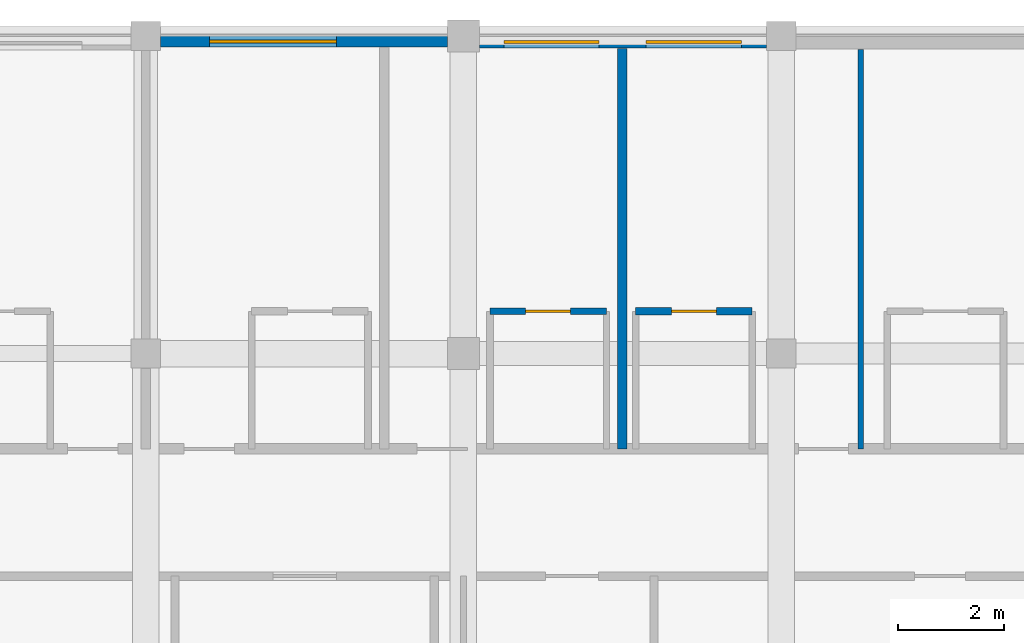
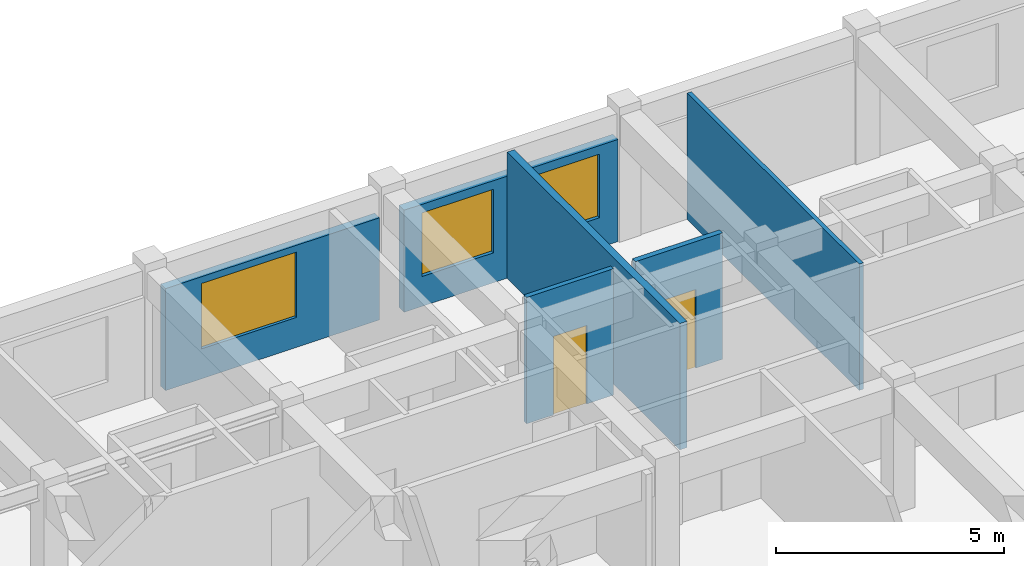
# One storey, part 11 of 25: 6 walls, 3 windows, 2 doors, 5 openings.
"""IFC4 building model written with IfcOpenShell, lengths in metres."""

from ifc_helpers import new_model, si_unit, direction, frame, frame_2d, origin, place, context, subcontext, project, spatial, rectangle, extrude, material, layer, layer_set, type_object, element, fill, save


model = new_model("IFC4")

# Units and contexts
model_context = context("Model", 3, precision=1e-05, world=origin(), true_north=direction((0.0, 1.0)))
body_context = subcontext(model_context, "Body", "Model", "MODEL_VIEW")
ifc_project = project(units=[si_unit("LENGTHUNIT", "METRE"), si_unit("AREAUNIT", "SQUARE_METRE"), si_unit("VOLUMEUNIT", "CUBIC_METRE"), si_unit("PLANEANGLEUNIT", "RADIAN"), si_unit("MASSUNIT", "GRAM", prefix="KILO"), si_unit("THERMODYNAMICTEMPERATUREUNIT", "KELVIN"), si_unit("POWERUNIT", "WATT")], contexts=[model_context])

# Site, building, storey
site_placement = place(None, origin())
site = spatial("IfcSite", under=ifc_project, at=site_placement, CompositionType="ELEMENT")
building_placement = place(site_placement, origin())
building = spatial("IfcBuilding", under=site, at=building_placement, Name="Phaisarnlok Congress Hotel", CompositionType="ELEMENT")
storey_placement = place(building_placement, frame((0.0, 0.0, 24.60009765625)))
storey = spatial("IfcBuildingStorey", under=building, at=storey_placement, Name="L05", CompositionType="ELEMENT", Elevation=24.60009765625)

# Wall, opening, window
ifc_material_1 = material(Name="Concrete C40/50", Category="concrete")
ifc_layer_1 = layer(ifc_material_1, 0.2099609375, Name="Concrete C40/50")
ifc_layer_set_1 = layer_set([ifc_layer_1], Name="Concrete C40/50")
wall_type_1 = type_object("IfcWallType", Name="WL-EXT-210", PredefinedType="SOLIDWALL", material=ifc_layer_set_1)
wall_1_placement = place(storey_placement, frame((119.695068359375, 125.89501953125, 0.0), z_axis=(0.0, 0.0, 1.0), x_axis=(-1.0, 0.0, 0.0)))
wall_1 = element("IfcWall", 1, at=wall_1_placement, inside=storey, type_object=wall_type_1, Name="Exterior wall EW-07 (L05)", PredefinedType="SOLIDWALL", context=body_context, shape_type="SweptSolid", body=[
    extrude(rectangle(XDim=5.4150390625, YDim=0.2099609375, at=frame_2d((2.70751953125, 0.0))), origin(), (0.0, 0.0, 1.0), 2.72998046875),
])
opening_1_placement = place(wall_1_placement, frame((2.094970703125, 0.0, 0.800048828125)))
opening_1 = element("IfcOpeningElement", 2, at=opening_1_placement, cuts=wall_1, Name="Opening W-01", PredefinedType="OPENING", context=body_context, shape_type="SweptSolid", body=[
    extrude(rectangle(XDim=2.39990234375, YDim=1.75, at=frame_2d((1.199951171875, 0.875))), frame((0.0, 0.114990234375, 0.0), z_axis=(0.0, -1.0, 0.0), x_axis=(1.0, 0.0, 0.0)), (0.0, 0.0, 1.0), 0.22998046875),
])
ifc_material_2 = material(Name="Thermally Broken Aluminium & Low-E Double Glazing", Category="aluminium")
window_type_1 = type_object("IfcWindowType", Name="WIN-HOTEL-2400", PartitioningType="SINGLE_PANEL", PredefinedType="WINDOW", material=ifc_material_2)
window_1_placement = place(opening_1_placement, origin())
window_1 = element("IfcWindow", 3, at=window_1_placement, inside=storey, type_object=window_type_1, Name="Guestroom window W-01 (L05)", OverallHeight=1.75, OverallWidth=2.39990234375, PartitioningType="SINGLE_PANEL", PredefinedType="WINDOW", context=body_context, shape_type="SweptSolid", body=[
    extrude(rectangle(XDim=2.39990234375, YDim=1.75, at=frame_2d((1.199951171875, 0.875))), frame((0.0, 0.030029296875, 0.0), z_axis=(0.0, -1.0, 0.0), x_axis=(1.0, 0.0, 0.0)), (0.0, 0.0, 1.0), 0.06005859375),
])
fill(opening_1, window_1)

# Wall, openings, windows
ifc_layer_2 = layer(ifc_material_1, 0.22998046875, Name="Concrete C40/50")
ifc_layer_set_2 = layer_set([ifc_layer_2], Name="Concrete C40/50")
wall_type_2 = type_object("IfcWallType", Name="WL-EXT-230", PredefinedType="SOLIDWALL", material=ifc_layer_set_2)
wall_2_placement = place(storey_placement, frame((125.719970703125, 125.885009765625, 0.0), z_axis=(0.0, 0.0, 1.0), x_axis=(-1.0, 0.0, 0.0)))
wall_2 = element("IfcWall", 4, at=wall_2_placement, inside=storey, type_object=wall_type_2, Name="Exterior wall EW-06 (L05)", PredefinedType="SOLIDWALL", context=body_context, shape_type="SweptSolid", body=[
    extrude(rectangle(XDim=5.4150390625, YDim=0.22998046875, at=frame_2d((2.70751953125, 0.0))), origin(), (0.0, 0.0, 1.0), 2.72998046875),
])
opening_2_placement = place(wall_2_placement, frame((3.157958984375, 0.0, 0.800048828125)))
opening_2 = element("IfcOpeningElement", 5, at=opening_2_placement, cuts=wall_2, Name="Opening W-10", PredefinedType="OPENING", context=body_context, shape_type="SweptSolid", body=[
    extrude(rectangle(XDim=1.800048828125, YDim=1.699951171875, at=frame_2d((0.89990234375, 0.85009765625))), frame((0.0, 0.125, 0.0), z_axis=(0.0, -1.0, 0.0), x_axis=(1.0, 0.0, 0.0)), (0.0, 0.0, 1.0), 0.25),
])
opening_3_placement = place(wall_2_placement, frame((0.469970703125, 0.0, 0.800048828125)))
opening_3 = element("IfcOpeningElement", 6, at=opening_3_placement, cuts=wall_2, Name="Opening W-10", PredefinedType="OPENING", context=body_context, shape_type="SweptSolid", body=[
    extrude(rectangle(XDim=1.800048828125, YDim=1.699951171875, at=frame_2d((0.89990234375, 0.85009765625))), frame((0.0, 0.125, 0.0), z_axis=(0.0, -1.0, 0.0), x_axis=(1.0, 0.0, 0.0)), (0.0, 0.0, 1.0), 0.25),
])
window_type_2 = type_object("IfcWindowType", Name="WIN-POD-1800", PartitioningType="SINGLE_PANEL", PredefinedType="WINDOW", material=ifc_material_2)
window_2_placement = place(opening_2_placement, origin())
window_2 = element("IfcWindow", 7, at=window_2_placement, inside=storey, type_object=window_type_2, Name="Guestroom window W-10 (L05)", OverallHeight=1.699951171875, OverallWidth=1.800048828125, PartitioningType="SINGLE_PANEL", PredefinedType="WINDOW", context=body_context, shape_type="SweptSolid", body=[
    extrude(rectangle(XDim=1.800048828125, YDim=1.699951171875, at=frame_2d((0.89990234375, 0.85009765625))), frame((0.0, 0.030029296875, 0.0), z_axis=(0.0, -1.0, 0.0), x_axis=(1.0, 0.0, 0.0)), (0.0, 0.0, 1.0), 0.06005859375),
])
fill(opening_2, window_2)
window_3_placement = place(opening_3_placement, origin())
window_3 = element("IfcWindow", 8, at=window_3_placement, inside=storey, type_object=window_type_2, Name="Guestroom window W-10 (L05)", OverallHeight=1.699951171875, OverallWidth=1.800048828125, PartitioningType="SINGLE_PANEL", PredefinedType="WINDOW", context=body_context, shape_type="SweptSolid", body=[
    extrude(rectangle(XDim=1.800048828125, YDim=1.699951171875, at=frame_2d((0.89990234375, 0.85009765625))), frame((0.0, 0.030029296875, 0.0), z_axis=(0.0, -1.0, 0.0), x_axis=(1.0, 0.0, 0.0)), (0.0, 0.0, 1.0), 0.06005859375),
])
fill(opening_3, window_3)

# Wall
ifc_material_3 = material(Name="Service Riser Shaftwall Partition", Category="gypsum")
ifc_layer_3 = layer(ifc_material_3, 0.10498046875, Name="Service Riser Shaftwall Partition")
ifc_layer_set_3 = layer_set([ifc_layer_3], Name="Service Riser Shaftwall Partition")
wall_type_3 = type_object("IfcWallType", Name="WL-INT-105", PredefinedType="PARTITIONING", material=ifc_layer_set_3)
wall_3_placement = place(storey_placement, frame((127.5, 118.199951171875, 0.0), z_axis=(0.0, 0.0, 1.0), x_axis=(0.0, 1.0, 0.0)))
element("IfcWall", 9, at=wall_3_placement, inside=storey, type_object=wall_type_3, Name="Interior partition wall IW-08 (L05)", PredefinedType="PARTITIONING", context=body_context, shape_type="SweptSolid", body=[
    extrude(rectangle(XDim=7.545166015625, YDim=0.10498046875, at=frame_2d((3.7724609375, 0.0))), origin(), (0.0, 0.0, 1.0), 3.3798828125),
])

# Wall, opening, door
ifc_material_4 = material(Name="Lightweight Metal-Stud Gypsum Partition", Category="gypsum")
ifc_layer_4 = layer(ifc_material_4, 0.1201171875, Name="Lightweight Metal-Stud Gypsum Partition")
ifc_layer_set_4 = layer_set([ifc_layer_4], Name="Lightweight Metal-Stud Gypsum Partition")
wall_type_4 = type_object("IfcWallType", Name="WL-INT-120", PredefinedType="PARTITIONING", material=ifc_layer_set_4)
wall_4_placement = place(storey_placement, frame((120.5, 120.800048828125, 0.0), z_axis=(0.0, 0.0, 1.0), x_axis=(1.0, 0.0, 0.0)))
wall_4 = element("IfcWall", 10, at=wall_4_placement, inside=storey, type_object=wall_type_4, Name="Interior partition wall IW-07 (L05)", PredefinedType="PARTITIONING", context=body_context, shape_type="SweptSolid", body=[
    extrude(rectangle(XDim=2.199951171875, YDim=0.1201171875, at=frame_2d((1.10009765625, 0.0))), origin(), (0.0, 0.0, 1.0), 3.3798828125),
])
opening_4_placement = place(wall_4_placement, frame((0.675048828125, 0.0, 0.0)))
opening_4 = element("IfcOpeningElement", 11, at=opening_4_placement, cuts=wall_4, Name="Opening D-0163", PredefinedType="OPENING", context=body_context, shape_type="SweptSolid", body=[
    extrude(rectangle(XDim=0.85009765625, YDim=2.10009765625, at=frame_2d((0.425048828125, 1.050048828125))), frame((0.0, 0.070068359375, 0.0), z_axis=(0.0, -1.0, 0.0), x_axis=(1.0, 0.0, 0.0)), (0.0, 0.0, 1.0), 0.14013671875),
])
ifc_material_5 = material(Name="Moisture-Resistant Lacquered Timber", Category="wood")
door_type = type_object("IfcDoorType", Name="DR-BATH-850", OperationType="NOTDEFINED", PredefinedType="DOOR", material=ifc_material_5)
door_1_placement = place(opening_4_placement, origin())
door_1 = element("IfcDoor", 12, at=door_1_placement, inside=storey, type_object=door_type, Name="Interior door D-0163 (L05)", OperationType="SINGLE_SWING_LEFT", OverallHeight=2.10009765625, OverallWidth=0.85009765625, PredefinedType="DOOR", context=body_context, shape_type="SweptSolid", body=[
    extrude(rectangle(XDim=0.85009765625, YDim=2.10009765625, at=frame_2d((0.425048828125, 1.050048828125))), frame((0.0, 0.02490234375, 0.0), z_axis=(0.0, -1.0, 0.0), x_axis=(1.0, 0.0, 0.0)), (0.0, 0.0, 1.0), 0.050048828125),
])
fill(opening_4, door_1)

ifc_material_6 = material(Name="Moisture-Resistant Gypsum Partition", Category="gypsum")
ifc_layer_5 = layer(ifc_material_6, 0.135009765625, Name="Moisture-Resistant Gypsum Partition")
ifc_layer_set_5 = layer_set([ifc_layer_5], Name="Moisture-Resistant Gypsum Partition")
wall_type_5 = type_object("IfcWallType", Name="WL-INT-135", PredefinedType="PARTITIONING", material=ifc_layer_set_5)
wall_5_placement = place(storey_placement, frame((123.25, 120.800048828125, 0.0), z_axis=(0.0, 0.0, 1.0), x_axis=(1.0, 0.0, 0.0)))
wall_5 = element("IfcWall", 13, at=wall_5_placement, inside=storey, type_object=wall_type_5, Name="Interior partition wall IW-06 (L05)", PredefinedType="PARTITIONING", context=body_context, shape_type="SweptSolid", body=[
    extrude(rectangle(XDim=2.199951171875, YDim=0.135009765625, at=frame_2d((1.10009765625, 0.0))), origin(), (0.0, 0.0, 1.0), 3.3798828125),
])
opening_5_placement = place(wall_5_placement, frame((0.675048828125, 0.0, 0.0)))
opening_5 = element("IfcOpeningElement", 14, at=opening_5_placement, cuts=wall_5, Name="Opening D-0165", PredefinedType="OPENING", context=body_context, shape_type="SweptSolid", body=[
    extrude(rectangle(XDim=0.85009765625, YDim=2.10009765625, at=frame_2d((0.425048828125, 1.050048828125))), frame((0.0, 0.07763671875, 0.0), z_axis=(0.0, -1.0, 0.0), x_axis=(1.0, 0.0, 0.0)), (0.0, 0.0, 1.0), 0.155029296875),
])
door_2_placement = place(opening_5_placement, origin())
door_2 = element("IfcDoor", 15, at=door_2_placement, inside=storey, type_object=door_type, Name="Interior door D-0165 (L05)", OperationType="SINGLE_SWING_LEFT", OverallHeight=2.10009765625, OverallWidth=0.85009765625, PredefinedType="DOOR", context=body_context, shape_type="SweptSolid", body=[
    extrude(rectangle(XDim=0.85009765625, YDim=2.10009765625, at=frame_2d((0.425048828125, 1.050048828125))), frame((0.0, 0.02490234375, 0.0), z_axis=(0.0, -1.0, 0.0), x_axis=(1.0, 0.0, 0.0)), (0.0, 0.0, 1.0), 0.050048828125),
])
fill(opening_5, door_2)

# Wall
ifc_material_7 = material(Name="Autoclaved Aerated Concrete Block", Category="concrete")
ifc_layer_6 = layer(ifc_material_7, 0.179931640625, Name="Autoclaved Aerated Concrete Block")
ifc_layer_set_6 = layer_set([ifc_layer_6], Name="Autoclaved Aerated Concrete Block")
wall_type_6 = type_object("IfcWallType", Name="WL-INT-180", PredefinedType="PARTITIONING", material=ifc_layer_set_6)
wall_6_placement = place(storey_placement, frame((123.0, 118.199951171875, 0.0), z_axis=(0.0, 0.0, 1.0), x_axis=(0.0, 1.0, 0.0)))
element("IfcWall", 16, at=wall_6_placement, inside=storey, type_object=wall_type_6, Name="Interior partition wall IW-03 (L05)", PredefinedType="PARTITIONING", context=body_context, shape_type="SweptSolid", body=[
    extrude(rectangle(XDim=7.56494140625, YDim=0.179931640625, at=frame_2d((3.782470703125, 0.0))), origin(), (0.0, 0.0, 1.0), 3.3798828125),
])

save(model, "model.ifc")
